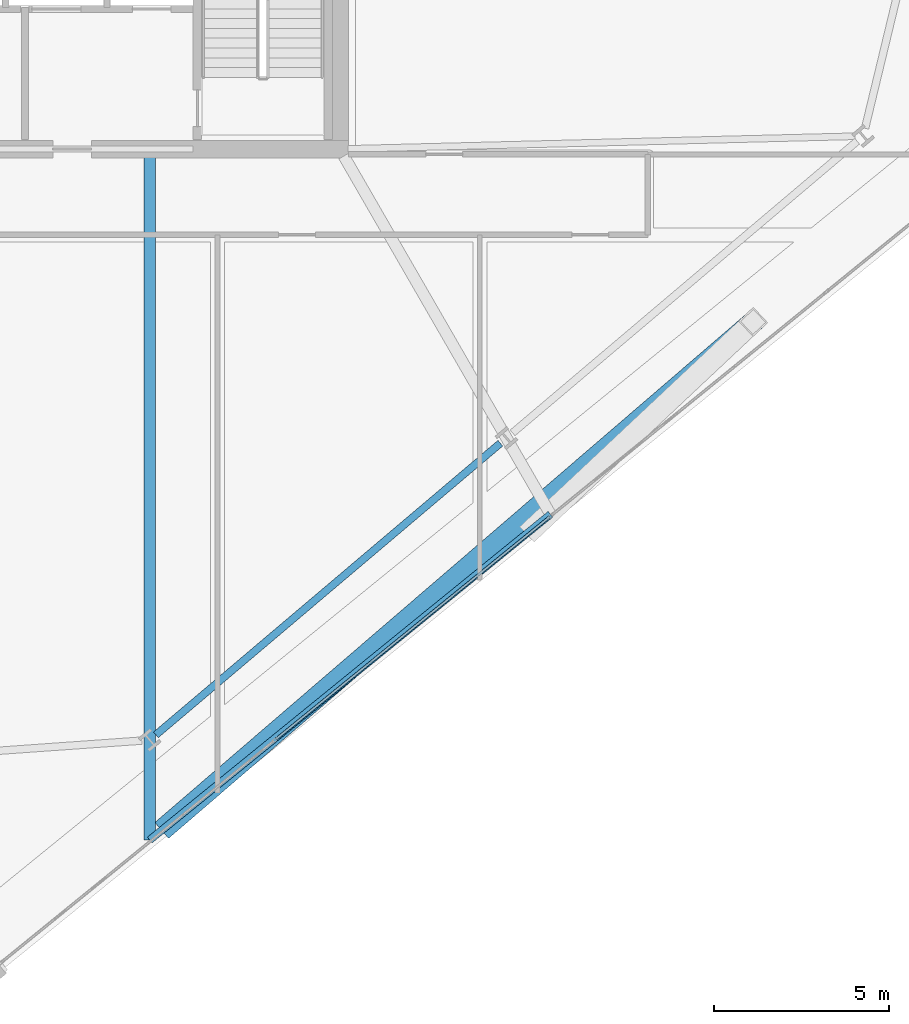
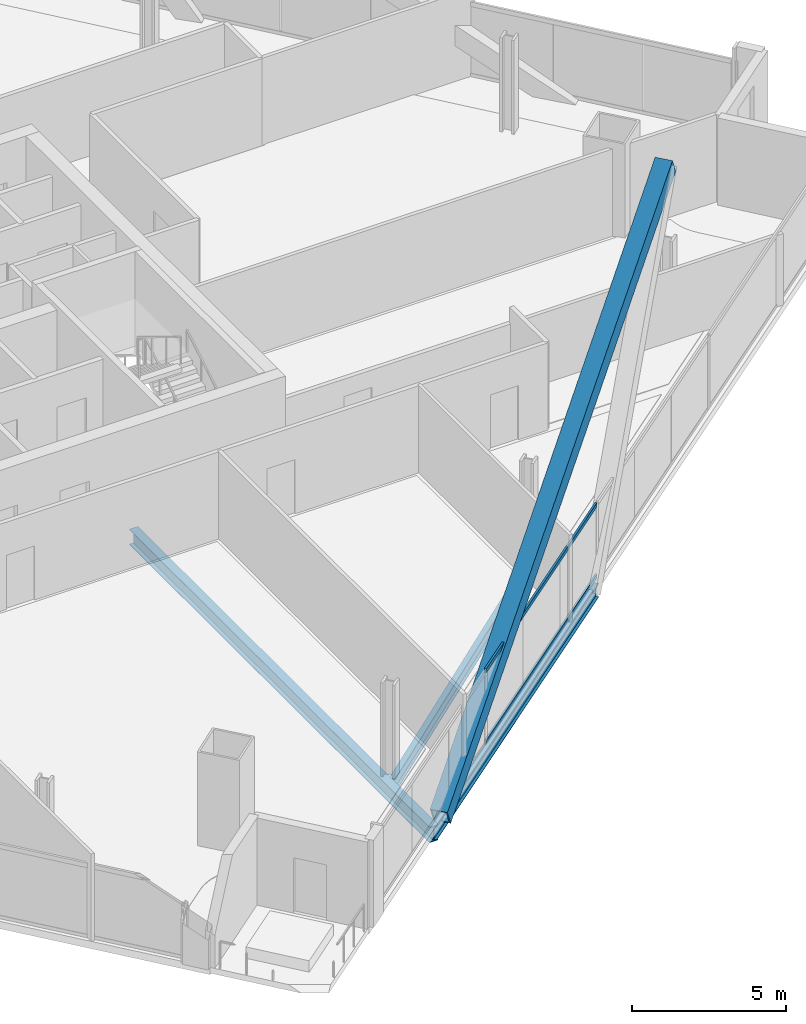
# One storey, part 7 of 36: 3 beams, 3 members, 1 element without a shape of its own.
"""IFC4 building model written with IfcOpenShell, lengths in metres."""

from ifc_helpers import new_model, si_unit, direction, frame, origin, origin_2d, place, context, subcontext, project, spatial, hollow_rectangle, i_section, extrude, material, material_profile, profile_set, type_object, element, aggregate, save


model = new_model("IFC4")

# Units and contexts
model_context = context("Model", 3, precision=1e-05, world=origin(), true_north=direction((0.0, 1.0)))
body_context = subcontext(model_context, "Body", "Model", "MODEL_VIEW")
ifc_project = project(units=[si_unit("LENGTHUNIT", "METRE"), si_unit("AREAUNIT", "SQUARE_METRE"), si_unit("VOLUMEUNIT", "CUBIC_METRE"), si_unit("PLANEANGLEUNIT", "RADIAN"), si_unit("MASSUNIT", "GRAM", prefix="KILO")], contexts=[model_context])

# Site, building, storey
site_placement = place(None, origin())
site = spatial("IfcSite", under=ifc_project, at=site_placement, CompositionType="ELEMENT")
building_placement = place(site_placement, origin())
building = spatial("IfcBuilding", under=site, at=building_placement, Name="Haldenkirk Collegiate Tower", CompositionType="ELEMENT")
storey_placement = place(building_placement, frame((0.0, 0.0, 159.449951171875)))
storey = spatial("IfcBuildingStorey", under=building, at=storey_placement, Name="L39", CompositionType="ELEMENT", Elevation=159.449951171875)

# Beams
ifc_material_1 = material(Name="Steel ASTM A992 Grade 50", Category="steel")
ifc_material_profile_1 = material_profile(ifc_material_1, i_section(OverallWidth=0.324951171875, OverallDepth=0.615966796875, WebThickness=0.013916015625, FlangeThickness=0.021484375, at=origin_2d()), Name="W24X117")
ifc_profile_set_1 = profile_set([ifc_material_profile_1], Name="Steel ASTM A992 Grade 50")
beam_type_1 = type_object("IfcBeamType", Name="BM-GIRDER-W24X117", PredefinedType="BEAM", material=ifc_profile_set_1)
beam_1_placement = place(storey_placement, frame((39.568603515625, -1.7421875, -0.597900390625), z_axis=(0.0, 1.0, 0.0), x_axis=(-1.0, 0.0, 0.0)))
element("IfcBeam", 1, at=beam_1_placement, inside=storey, type_object=beam_type_1, Name="L39 primary floor girder 05", PredefinedType="BEAM", context=body_context, shape_type="SweptSolid", body=[
    extrude(i_section(OverallWidth=0.324951171875, OverallDepth=0.615966796875, WebThickness=0.013916015625, FlangeThickness=0.021484375, at=origin_2d()), origin(), (0.0, 0.0, 1.0), 19.51220703125),
])
ifc_material_profile_2 = material_profile(ifc_material_1, i_section(OverallWidth=0.2119140625, OverallDepth=0.5439453125, WebThickness=0.01318359375, FlangeThickness=0.021240234375, at=origin_2d()), Name="W21X83")
ifc_profile_set_2 = profile_set([ifc_material_profile_2], Name="Steel ASTM A992 Grade 50")
beam_type_2 = type_object("IfcBeamType", Name="BM-SPANDREL-W21X83", PredefinedType="SPANDREL", material=ifc_profile_set_2)
beam_2_placement = place(storey_placement, frame((39.743408203125, 1.261474609375, -0.56201171875), z_axis=(0.763233335078, 0.646122957514, 0.0), x_axis=(-0.646122957514, 0.763233335078, 0.0)))
element("IfcBeam", 2, at=beam_2_placement, inside=storey, type_object=beam_type_2, Name="L39 perimeter spandrel beam 02", PredefinedType="SPANDREL", context=body_context, shape_type="SweptSolid", body=[
    extrude(i_section(OverallWidth=0.2119140625, OverallDepth=0.5439453125, WebThickness=0.01318359375, FlangeThickness=0.021240234375, at=origin_2d()), origin(), (0.0, 0.0, 1.0), 12.898193359375),
])
beam_3_placement = place(storey_placement, frame((39.568603515625, -1.7421875, -0.56201171875), z_axis=(0.776046683572, 0.630675467192, 0.0), x_axis=(-0.630675467192, 0.776046683572, 0.0)))
element("IfcBeam", 3, at=beam_3_placement, inside=storey, type_object=beam_type_2, Name="L39 outer facade edge beam 1", PredefinedType="SPANDREL", context=body_context, shape_type="SweptSolid", body=[
    extrude(i_section(OverallWidth=0.2119140625, OverallDepth=0.5439453125, WebThickness=0.01318359375, FlangeThickness=0.021240234375, at=origin_2d()), origin(), (0.0, 0.0, 1.0), 14.75537109375),
])

# Curtain wall, members
ifc_material_2 = material(Name="Anodised architectural bronze aluminium", Category="aluminium")
curtain_wall_type = type_object("IfcCurtainWallType", Name="CW-SYS2-CONCAVE", PredefinedType="USERDEFINED", material=ifc_material_2)
curtain_wall_placement = place(storey_placement, origin())
curtain_wall = element("IfcCurtainWall", 4, at=curtain_wall_placement, inside=storey, type_object=curtain_wall_type, Name="L39 South concave recessed bronze-anodised curtain wall", ObjectType="UNITISED CURTAIN WALL", PredefinedType="USERDEFINED")
ifc_material_profile_3 = material_profile(ifc_material_2, hollow_rectangle(XDim=0.074951171875, YDim=0.159912109375, WallThickness=0.0048828125, at=origin_2d()), Name="CW-TRN-02")
ifc_profile_set_3 = profile_set([ifc_material_profile_3], Name="Anodised architectural bronze aluminium")
member_type_1 = type_object("IfcMemberType", Name="CW-TRN-02", PredefinedType="USERDEFINED", material=ifc_profile_set_3)
member_1_placement = place(storey_placement, frame((50.99365234375, 7.490966796875, 0.03759765625), z_axis=(-0.776056181993, -0.630663779197, 0.0), x_axis=(0.630663779197, -0.776056181993, 0.0)))
member_1 = element("IfcMember", 5, at=member_1_placement, type_object=member_type_1, Name="CW-02 transom 3.1", ObjectType="TRANSOM", PredefinedType="USERDEFINED", context=body_context, shape_type="SweptSolid", body=[
    extrude(hollow_rectangle(XDim=0.074951171875, YDim=0.159912109375, WallThickness=0.0048828125, at=origin_2d()), origin(), (0.0, 0.0, 1.0), 10.0751953125),
])
member_2_placement = place(storey_placement, frame((50.99365234375, 7.490966796875, 2.87353515625), z_axis=(-0.776056181993, -0.630663779197, 0.0), x_axis=(0.630663779197, -0.776056181993, 0.0)))
member_2 = element("IfcMember", 6, at=member_2_placement, type_object=member_type_1, Name="CW-02 transom 3.2", ObjectType="TRANSOM", PredefinedType="USERDEFINED", context=body_context, shape_type="SweptSolid", body=[
    extrude(hollow_rectangle(XDim=0.074951171875, YDim=0.159912109375, WallThickness=0.0048828125, at=origin_2d()), origin(), (0.0, 0.0, 1.0), 10.0751953125),
])
aggregate(curtain_wall, [member_1, member_2])

# Member
ifc_material_3 = material(Name="Steel ASTM A572 Grade 50", Category="steel")
ifc_material_profile_4 = material_profile(ifc_material_3, hollow_rectangle(XDim=0.60009765625, YDim=0.719970703125, WallThickness=0.044921875, at=origin_2d()), Name="BOX720X600X45")
ifc_profile_set_4 = profile_set([ifc_material_profile_4], Name="Steel ASTM A572 Grade 50")
member_type_2 = type_object("IfcMemberType", Name="MBR-MEGABRACE-BOX720X600X45", PredefinedType="BRACE", material=ifc_profile_set_4)
member_3_placement = place(storey_placement, frame((40.0341796875, -1.36376953125, -0.300048828125), z_axis=(0.675899843629, 0.58115111413, 0.453235903176), x_axis=(-0.651960104694, 0.758253270278, 0.0)))
element("IfcMember", 7, at=member_3_placement, inside=storey, type_object=member_type_2, Name="Perimeter Mega Brace Z3 L39-L41 SL", PredefinedType="BRACE", context=body_context, shape_type="SweptSolid", body=[
    extrude(hollow_rectangle(XDim=0.60009765625, YDim=0.719970703125, WallThickness=0.044921875, at=origin_2d()), origin(), (0.0, 0.0, 1.0), 24.821533203125),
])

save(model, "model.ifc")
